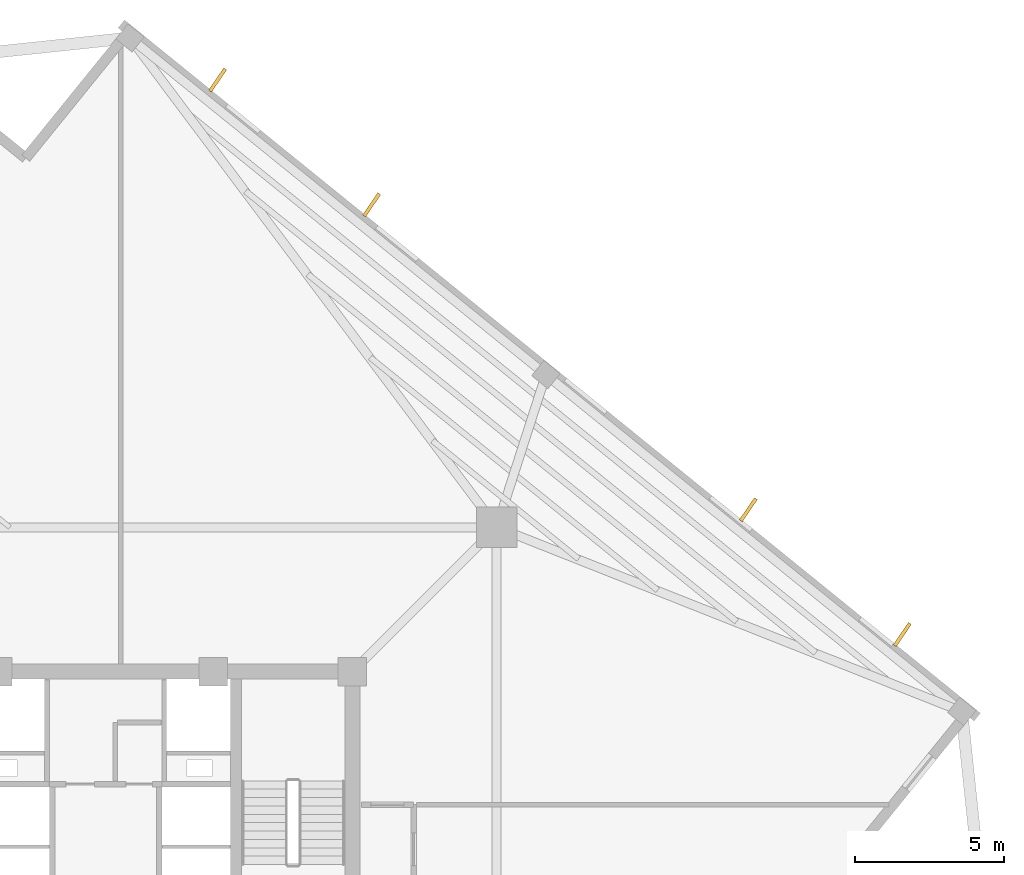
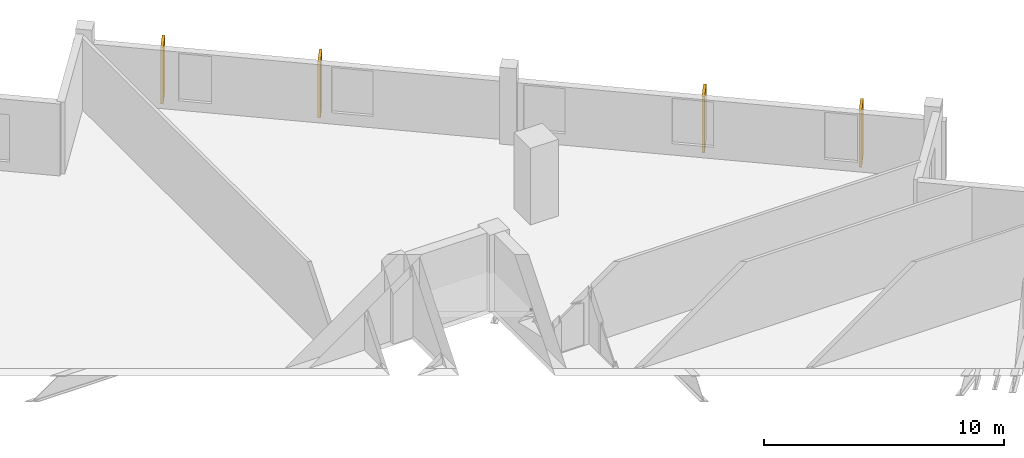
# One storey, part 9 of 9: 4 coverings.
"""IFC4 building model written with IfcOpenShell, lengths in metres."""

import ifcopenshell
import ifcopenshell.guid

model = None  # the IFC model being written
_history = None  # IfcOwnerHistory: only IFC2X3 demands one
_inside = {}  # id of a spatial element -> (the spatial element, [elements in it])
_under = {}  # id of a project, library or spatial element -> (it, [spatial elements below it])
_declared = {}  # id of a project -> (the project, [libraries it declares])
_typed = {}  # id of a type object -> (the type object, [elements of that type])
_made_of = {}  # id of a material, layer set ... -> (it, [elements and type objects made of it])


def new_model(schema):
    """Start an empty IFC model of exactly this schema.

    Asked for "IFC4X3", IfcOpenShell would pick the latest addendum, in which some entities
    have other attributes; the version numbers below select the first issue.
    IFC2X3 requires an IfcOwnerHistory on every rooted entity: one is made here for all.
    """
    global model, _history
    if schema == "IFC4X3":
        model = ifcopenshell.file(schema_version=(4, 3, 0, 0))
    else:
        model = ifcopenshell.file(schema=schema)
    _inside.clear()
    _under.clear()
    _declared.clear()
    _typed.clear()
    _made_of.clear()
    _history = None
    if model.schema == "IFC2X3":
        org = make("IfcOrganization", Name="unknown")
        user = make(
            "IfcPersonAndOrganization",
            ThePerson=make("IfcPerson", FamilyName="unknown"),
            TheOrganization=org,
        )
        app = make(
            "IfcApplication",
            ApplicationDeveloper=org,
            Version="unknown",
            ApplicationFullName="unknown",
            ApplicationIdentifier="unknown",
        )
        _history = make(
            "IfcOwnerHistory",
            OwningUser=user,
            OwningApplication=app,
            ChangeAction="ADDED",
            CreationDate=0,
        )
    return model


def make(cls, **values):
    """One entity of the class cls with the attributes given. An attribute that is None is left unset."""
    return model.create_entity(
        cls, **{name: value for name, value in values.items() if value is not None}
    )


def rooted(cls, **values):
    """An entity with a GlobalId (a new one), such as an element, a storey or a relation."""
    return make(cls, GlobalId=ifcopenshell.guid.new(), OwnerHistory=_history, **values)


def si_unit(unit_type, name, prefix=None):
    """IfcSIUnit, for example si_unit("LENGTHUNIT", "METRE", prefix="MILLI")."""
    return make("IfcSIUnit", UnitType=unit_type, Prefix=prefix, Name=name)


def assignment(units):
    """IfcUnitAssignment: the units of a project."""
    return None if units is None else make("IfcUnitAssignment", Units=units)


def point(xyz):
    """IfcCartesianPoint."""
    return None if xyz is None else make("IfcCartesianPoint", Coordinates=xyz)


def direction(xyz):
    """IfcDirection."""
    return None if xyz is None else make("IfcDirection", DirectionRatios=xyz)


def frame(location, z_axis=None, x_axis=None):
    """IfcAxis2Placement3D, a coordinate frame: its origin and axes. An axis left out is left unset."""
    return make(
        "IfcAxis2Placement3D",
        Location=point(location),
        Axis=direction(z_axis),
        RefDirection=direction(x_axis),
    )


def frame_2d(location, x_axis=None):
    """IfcAxis2Placement2D, a coordinate frame in the plane: its origin and x axis."""
    return make(
        "IfcAxis2Placement2D", Location=point(location), RefDirection=direction(x_axis)
    )


def origin():
    """The frame at (0, 0, 0) with its axes left unset."""
    return frame((0.0, 0.0, 0.0))


def origin_2d():
    """The frame at (0, 0) in the plane with its x axis left unset."""
    return frame_2d((0.0, 0.0))


def place(relative_to, where):
    """IfcLocalPlacement: puts the frame where relative to a parent placement (None: the world)."""
    return make(
        "IfcLocalPlacement", PlacementRelTo=relative_to, RelativePlacement=where
    )


def context(
    kind, dimensions, precision=None, world=None, true_north=None, identifier=None
):
    """IfcGeometricRepresentationContext, for example the 3D "Model" context."""
    return make(
        "IfcGeometricRepresentationContext",
        ContextIdentifier=identifier,
        ContextType=kind,
        CoordinateSpaceDimension=dimensions,
        Precision=precision,
        WorldCoordinateSystem=world,
        TrueNorth=true_north,
    )


def subcontext(parent, identifier, kind, view, scale=None):
    """IfcGeometricRepresentationSubContext, for example "Body" below "Model"."""
    return make(
        "IfcGeometricRepresentationSubContext",
        ContextIdentifier=identifier,
        ContextType=kind,
        ParentContext=parent,
        TargetScale=scale,
        TargetView=view,
    )


def project(units=None, contexts=None):
    """IfcProject with its units and contexts."""
    return rooted(
        "IfcProject",
        Name="project",
        RepresentationContexts=contexts,
        UnitsInContext=assignment(units),
    )


def spatial(cls, under=None, at=None, **own):
    """A site, building, storey or space (cls), placed at a placement, below another one or the project."""
    s = rooted(cls, ObjectPlacement=at, **own)
    if under is not None:
        _under.setdefault(under.id(), (under, []))[1].append(s)
    return s


def profile(cls, at=None, kind="AREA", **sizes):
    """A parametric profile (cls). Its sizes go by their IFC names, for example OverallWidth=200.0."""
    return make(cls, ProfileType=kind, Position=at, **sizes)


def rectangle(**sizes):
    """IfcRectangleProfileDef."""
    return profile("IfcRectangleProfileDef", **sizes)


def extrude(swept, where, along, depth):
    """IfcExtrudedAreaSolid: the profile swept, set in the frame where, extruded along a direction by depth."""
    return make(
        "IfcExtrudedAreaSolid",
        SweptArea=swept,
        Position=where,
        ExtrudedDirection=direction(along),
        Depth=depth,
    )


def shape(context_of_items, identifier, shape_type, items):
    """IfcShapeRepresentation: the items that make up one representation, for example the "Body"."""
    return make(
        "IfcShapeRepresentation",
        ContextOfItems=context_of_items,
        RepresentationIdentifier=identifier,
        RepresentationType=shape_type,
        Items=items,
    )


def source(mapping_origin, context_of_items, identifier, shape_type, items):
    """IfcRepresentationMap: a shape defined once, which mapped items show again and again."""
    return make(
        "IfcRepresentationMap",
        MappingOrigin=mapping_origin,
        MappedRepresentation=shape(context_of_items, identifier, shape_type, items),
    )


def transform(
    local_origin,
    x_axis=None,
    y_axis=None,
    z_axis=None,
    scale=None,
    scale2=None,
    scale3=None,
    uniform=True,
):
    """IfcCartesianTransformationOperator3D, or its non-uniform kind. x_axis, y_axis, z_axis: its Axis1, 2, 3."""
    if uniform:
        return make(
            "IfcCartesianTransformationOperator3D",
            Axis1=direction(x_axis),
            Axis2=direction(y_axis),
            LocalOrigin=point(local_origin),
            Scale=scale,
            Axis3=direction(z_axis),
        )
    return make(
        "IfcCartesianTransformationOperator3DnonUniform",
        Axis1=direction(x_axis),
        Axis2=direction(y_axis),
        LocalOrigin=point(local_origin),
        Scale=scale,
        Axis3=direction(z_axis),
        Scale2=scale2,
        Scale3=scale3,
    )


def mapped(mapping_source, mapping_target):
    """IfcMappedItem: shows the shape of a source again, moved by a transform."""
    return make(
        "IfcMappedItem", MappingSource=mapping_source, MappingTarget=mapping_target
    )


def material(Name=None, Category=None):
    """IfcMaterial."""
    return make("IfcMaterial", Name=Name, Category=Category)


def layer(
    of_material, thickness, ventilated=None, Name=None, Category=None, Priority=None
):
    """IfcMaterialLayer: one layer of a wall or slab, of a material (None: an air gap)."""
    return make(
        "IfcMaterialLayer",
        Material=of_material,
        LayerThickness=thickness,
        IsVentilated=ventilated,
        Name=Name,
        Category=Category,
        Priority=Priority,
    )


def layer_set(layers, Name=None):
    """IfcMaterialLayerSet."""
    return make("IfcMaterialLayerSet", MaterialLayers=layers, LayerSetName=Name)


def made_of(thing, what):
    """Note that an element or type object is made of a material, layer set ...; save() writes the relation."""
    if what is not None:
        _made_of.setdefault(what.id(), (what, []))[1].append(thing)
    return thing


def type_object(cls, material=None, **own):
    """A type object (cls), such as IfcWallType, which elements share."""
    return made_of(rooted(cls, **own), material)


def element(
    cls,
    number,
    at=None,
    inside=None,
    cuts=None,
    type_object=None,
    material=None,
    context=None,
    identifier="Body",
    shape_type=None,
    held_by="IfcProductDefinitionShape",
    body=None,
    shapes=None,
    **own,
):
    """One element of the class cls, such as IfcWall. Its Tag is "e" and its number.

    at: its placement. inside: the storey or other place that contains it. cuts: it is an
    opening in that element (IfcRelVoidsElement). A single representation is given by context,
    identifier, shape_type and body (its items); several are given by shapes. held_by: the class
    of the entity that holds the representations. save() writes the other relations.
    """
    e = rooted(cls, Tag="e%d" % number, ObjectPlacement=at, **own)
    if body is not None:
        shapes = [shape(context, identifier, shape_type, body)]
    if shapes is not None:
        e.Representation = make(held_by, Representations=shapes)
    if inside is not None:
        _inside.setdefault(inside.id(), (inside, []))[1].append(e)
    if cuts is not None:
        rooted(
            "IfcRelVoidsElement", RelatingBuildingElement=cuts, RelatedOpeningElement=e
        )
    if type_object is not None:
        _typed.setdefault(type_object.id(), (type_object, []))[1].append(e)
    return made_of(e, material)


def aggregate(whole, parts):
    """IfcRelAggregates: a whole, such as a stair, and the parts it consists of."""
    return rooted("IfcRelAggregates", RelatingObject=whole, RelatedObjects=parts)


def save(model, path):
    """Write the relations noted so far, then the file.

    IfcRelAggregates (storeys below a building ...), IfcRelContainedInSpatialStructure (elements
    in a storey), IfcRelDefinesByType, IfcRelAssociatesMaterial and IfcRelDeclares: one each for
    every whole, place, type object, material and project.
    """
    for whole, parts in _under.values():
        aggregate(whole, parts)
    for where, things in _inside.values():
        rooted(
            "IfcRelContainedInSpatialStructure",
            RelatedElements=things,
            RelatingStructure=where,
        )
    for kind, things in _typed.values():
        rooted("IfcRelDefinesByType", RelatedObjects=things, RelatingType=kind)
    for what, things in _made_of.values():
        rooted("IfcRelAssociatesMaterial", RelatedObjects=things, RelatingMaterial=what)
    for by, libraries in _declared.values():
        rooted("IfcRelDeclares", RelatingContext=by, RelatedDefinitions=libraries)
    model.write(path)


model = new_model("IFC4")

# Units and contexts
model_context = context("Model", 3, precision=1e-05, world=origin(), true_north=direction((0.0, 1.0)))
body_context = subcontext(model_context, "Body", "Model", "MODEL_VIEW")
ifc_project = project(units=[si_unit("LENGTHUNIT", "METRE"), si_unit("AREAUNIT", "SQUARE_METRE"), si_unit("VOLUMEUNIT", "CUBIC_METRE"), si_unit("PLANEANGLEUNIT", "RADIAN"), si_unit("MASSUNIT", "GRAM", prefix="KILO"), si_unit("THERMODYNAMICTEMPERATUREUNIT", "KELVIN")], contexts=[model_context])

# Site, building, storey
site_placement = place(None, origin())
site = spatial("IfcSite", under=ifc_project, at=site_placement, CompositionType="ELEMENT")
building_placement = place(site_placement, origin())
building = spatial("IfcBuilding", under=site, at=building_placement, Name="Kosmvard Interchange Tower", CompositionType="ELEMENT")
storey_placement = place(building_placement, frame((0.0, 0.0, 213.39990234375)))
storey = spatial("IfcBuildingStorey", under=building, at=storey_placement, Name="L51", CompositionType="ELEMENT", Elevation=213.39990234375)

# Coverings
ifc_material = material(Name="Architectural anodised aluminium", Category="aluminium")
ifc_layer = layer(ifc_material, 0.1201171875, Name="Architectural anodised aluminium")
ifc_layer_set = layer_set([ifc_layer], Name="Architectural anodised aluminium")
covering_type = type_object("IfcCoveringType", Name="Rotating Vertical Sun-Breaker Fin 900x120 Aluminium", PredefinedType="CLADDING", material=ifc_layer_set)
shared_shape = source(origin(), body_context, "Body", "SweptSolid", [
    extrude(rectangle(XDim=0.89990234375, YDim=0.1201171875, at=origin_2d()), origin(), (0.0, 0.0, 1.0), 2.8798828125),
])
for number, where, z_axis, x_axis, name in (
    (1, (26.650146484375, 9.494384765625, 0.0400390625), (0.0, 0.0, 1.0), (0.563093427655, 0.826393242792, 0.0), "L51 Rotating Vertical Sun-Breaker Fin 05"),
    (2, (21.49658203125, 13.66748046875, 0.0400390625), (0.0, 0.0, 1.0), (0.563093427655, 0.826393242792, 0.0), "L51 Rotating Vertical Sun-Breaker Fin 06"),
    (3, (8.8994140625, 23.86865234375, 0.0400390625), (0.0, 0.0, 1.0), (0.563093427655, 0.826393242792, 0.0), "L51 Rotating Vertical Sun-Breaker Fin 07"),
    (4, (3.74609375, 28.041748046875, 0.0400390625), (0.0, 0.0, 1.0), (0.563093427655, 0.826393242792, 0.0), "L51 Rotating Vertical Sun-Breaker Fin 08"),
):
    element("IfcCovering", number, at=place(storey_placement, frame(where, z_axis=z_axis, x_axis=x_axis)), inside=storey, type_object=covering_type, Name=name, PredefinedType="CLADDING", context=body_context, shape_type="MappedRepresentation", body=[
        mapped(shared_shape, transform((0.0, 0.0, 0.0), scale=1.0)),
    ])

save(model, "model.ifc")
